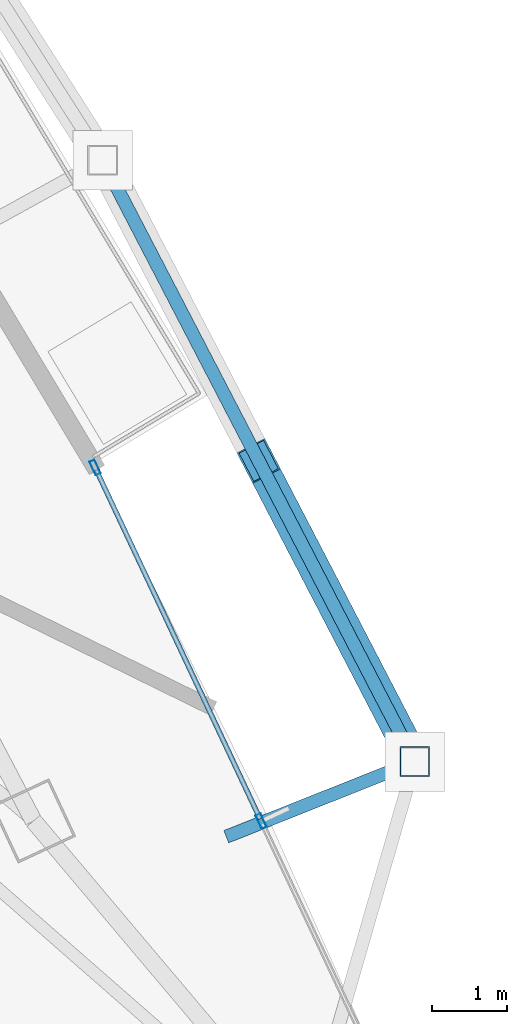
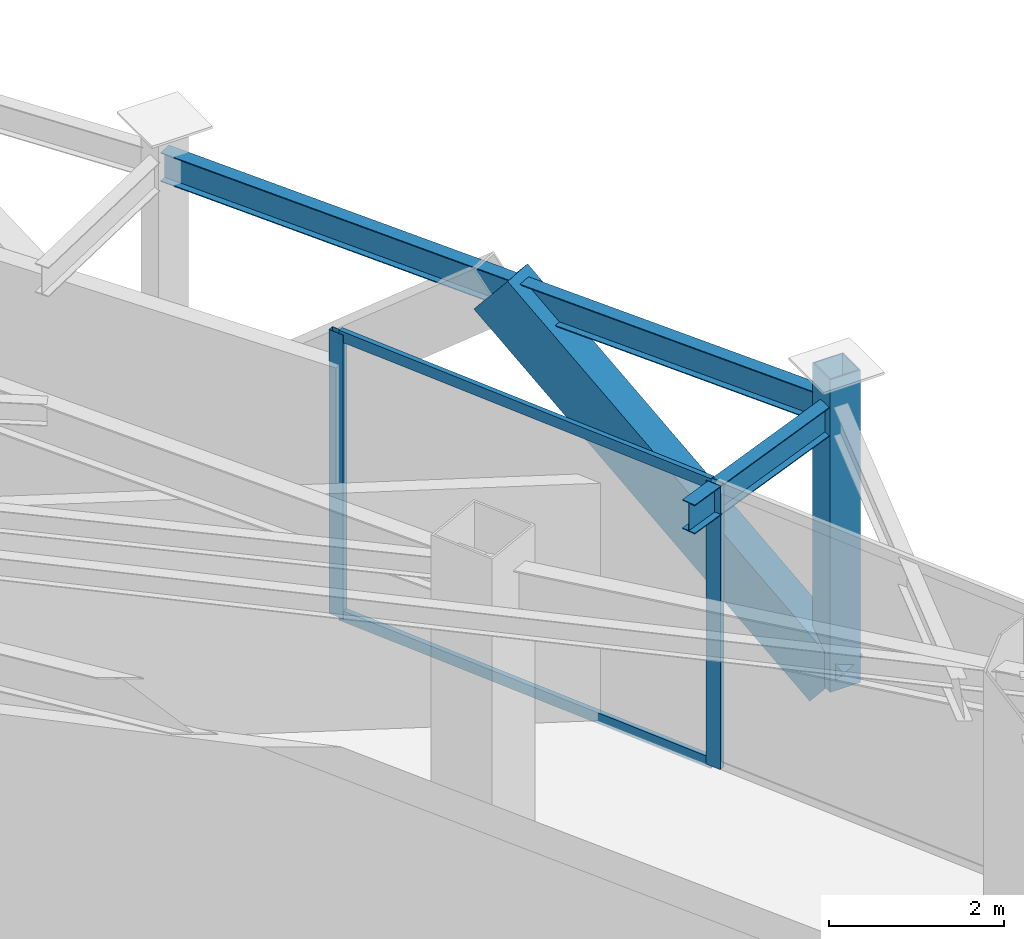
# One storey, part 16 of 27: 6 members, 2 beams, 1 element without a shape of its own.
"""IFC4 building model written with IfcOpenShell, lengths in metres."""

from ifc_helpers import new_model, si_unit, direction, frame, origin, origin_2d, place, context, subcontext, project, spatial, hollow_rectangle, i_section, extrude, material, layer, layer_set, material_profile, profile_set, type_object, element, aggregate, save


model = new_model("IFC4")

# Units and contexts
model_context = context("Model", 3, precision=1e-05, world=origin(), true_north=direction((0.0, 1.0)))
body_context = subcontext(model_context, "Body", "Model", "MODEL_VIEW")
ifc_project = project(units=[si_unit("LENGTHUNIT", "METRE"), si_unit("AREAUNIT", "SQUARE_METRE"), si_unit("VOLUMEUNIT", "CUBIC_METRE"), si_unit("PLANEANGLEUNIT", "RADIAN"), si_unit("MASSUNIT", "GRAM", prefix="KILO")], contexts=[model_context])

# Site, building, storey
site_placement = place(None, origin())
site = spatial("IfcSite", under=ifc_project, at=site_placement, CompositionType="ELEMENT")
building_placement = place(site_placement, origin())
building = spatial("IfcBuilding", under=site, at=building_placement, Name="Orvanel Arch Residences", CompositionType="ELEMENT")
storey_placement = place(building_placement, frame((0.0, 0.0, 186.949951171875)))
storey = spatial("IfcBuildingStorey", under=building, at=storey_placement, Name="L53", CompositionType="ELEMENT", Elevation=186.949951171875)

# Member
ifc_material_1 = material(Name="Structural steel AS/NZS 3678 Grade 350", Category="steel")
ifc_material_profile_1 = material_profile(ifc_material_1, hollow_rectangle(XDim=0.419921875, YDim=0.719970703125, WallThickness=0.02490234375, at=origin_2d()), Name="RHS720x420x25")
ifc_profile_set_1 = profile_set([ifc_material_profile_1], Name="Structural steel AS/NZS 3678 Grade 350")
member_type_1 = type_object("IfcMemberType", Name="BR-720RHS-EXT", PredefinedType="BRACE", material=ifc_profile_set_1)
member_1_placement = place(storey_placement, frame((54.7451171875, 20.43701171875, 0.0), z_axis=(-0.355422545743, 0.684684864451, 0.636302954865), x_axis=(-0.887542143284, -0.460726539169, 0.0)))
element("IfcMember", 1, at=member_1_placement, inside=storey, type_object=member_type_1, Name="L53 Exterior Sky-Garden V-Frame Chevron F3B1.1", PredefinedType="BRACE", context=body_context, shape_type="SweptSolid", body=[
    extrude(hollow_rectangle(XDim=0.419921875, YDim=0.719970703125, WallThickness=0.02490234375, at=origin_2d()), origin(), (0.0, 0.0, 1.0), 5.888916015625),
])

# Curtain wall, members
ifc_material_2 = material(Name="Bronze-anodised aluminium AA6063-T6", Category="aluminium")
ifc_layer = layer(ifc_material_2, 0.195068359375)
ifc_layer_set = layer_set([ifc_layer], Name="Bronze-anodised aluminium AA6063-T6")
curtain_wall_type = type_object("IfcCurtainWallType", Name="CW6-COM-SYS", PredefinedType="NOTDEFINED", material=ifc_layer_set)
curtain_wall_placement = place(storey_placement, origin())
curtain_wall = element("IfcCurtainWall", 2, at=curtain_wall_placement, inside=storey, type_object=curtain_wall_type, Name="L53 CW6-COM-SYS Unitised Curtain Wall", PredefinedType="NOTDEFINED")
ifc_material_profile_2 = material_profile(ifc_material_2, hollow_rectangle(XDim=0.074951171875, YDim=0.199951171875, WallThickness=0.0048828125, at=origin_2d()), Name="ALU200x75x5")
ifc_profile_set_2 = profile_set([ifc_material_profile_2], Name="Bronze-anodised aluminium AA6063-T6")
member_type_2 = type_object("IfcMemberType", Name="MUL-200x75", PredefinedType="MULLION", material=ifc_profile_set_2)
member_2_placement = place(storey_placement, frame((52.685546875, 19.637939453125, 0.0), z_axis=(0.0, 0.0, 1.0), x_axis=(-0.905219837006, -0.424943580596, 0.0)))
member_2 = element("IfcMember", 3, at=member_2_placement, type_object=member_type_2, Name="CW-S6 mullion 2", PredefinedType="MULLION", context=body_context, shape_type="SweptSolid", body=[
    extrude(hollow_rectangle(XDim=0.074951171875, YDim=0.199951171875, WallThickness=0.0048828125, at=origin_2d()), origin(), (0.0, 0.0, 1.0), 3.949951171875),
])
member_3_placement = place(storey_placement, frame((50.458984375, 24.381103515625, 0.0), z_axis=(0.0, 0.0, 1.0), x_axis=(-0.905219837006, -0.424943580596, 0.0)))
member_3 = element("IfcMember", 4, at=member_3_placement, type_object=member_type_2, Name="CW-S6 mullion 3", PredefinedType="MULLION", context=body_context, shape_type="SweptSolid", body=[
    extrude(hollow_rectangle(XDim=0.074951171875, YDim=0.199951171875, WallThickness=0.0048828125, at=origin_2d()), origin(), (0.0, 0.0, 1.0), 3.949951171875),
])

# Beams
ifc_material_3 = material(Name="Structural steel AS/NZS 3679.1 Grade 300 (300 MPa)", Category="steel")
ifc_material_profile_3 = material_profile(ifc_material_3, i_section(OverallWidth=0.177978515625, OverallDepth=0.406005859375, WebThickness=0.0078125, FlangeThickness=0.0126953125, at=origin_2d()), Name="410UB59.7")
ifc_profile_set_3 = profile_set([ifc_material_profile_3], Name="Structural steel AS/NZS 3679.1 Grade 300 (300 MPa)")
beam_type = type_object("IfcBeamType", Name="OB-410UB-EXT", PredefinedType="SPANDREL", material=ifc_profile_set_3)
beam_1_placement = place(storey_placement, frame((52.217041015625, 19.430908203125, 3.7470703125), z_axis=(0.929125018557, 0.369765736502, 0.0), x_axis=(-0.369765736502, 0.929125018557, 0.0)))
element("IfcBeam", 5, at=beam_1_placement, inside=storey, type_object=beam_type, Name="L53 Outer Frame Radial Tie Beam 09", PredefinedType="SPANDREL", context=body_context, shape_type="SweptSolid", body=[
    extrude(i_section(OverallWidth=0.177978515625, OverallDepth=0.406005859375, WebThickness=0.0078125, FlangeThickness=0.0126953125, at=origin_2d()), origin(), (0.0, 0.0, 1.0), 2.720947265625),
])
beam_2_placement = place(storey_placement, frame((54.7451171875, 20.43701171875, 3.7470703125), z_axis=(-0.460726539169, 0.887542143284, 0.0), x_axis=(-0.887542143284, -0.460726539169, 0.0)))
element("IfcBeam", 6, at=beam_2_placement, inside=storey, type_object=beam_type, Name="L53 Outer Perimeter Floor Ring Beam 09", PredefinedType="SPANDREL", context=body_context, shape_type="SweptSolid", body=[
    extrude(i_section(OverallWidth=0.177978515625, OverallDepth=0.406005859375, WebThickness=0.0078125, FlangeThickness=0.0126953125, at=origin_2d()), origin(), (0.0, 0.0, 1.0), 9.085693359375),
])

# Member
ifc_material_4 = material(Name="Structural steel AS/NZS 1163 C450L0 (Grade 450)", Category="steel")
ifc_material_profile_4 = material_profile(ifc_material_4, hollow_rectangle(XDim=0.39990234375, YDim=0.39990234375, WallThickness=0.01611328125, at=origin_2d()), Name="SHS400x400x16")
ifc_profile_set_4 = profile_set([ifc_material_profile_4], Name="Structural steel AS/NZS 1163 C450L0 (Grade 450)")
member_type_3 = type_object("IfcMemberType", Name="ST-400SHS-EXT", PredefinedType="STRUT", material=ifc_profile_set_4)
member_4_placement = place(storey_placement, frame((54.7451171875, 20.43701171875, 0.0), z_axis=(0.0, 0.0, 1.0), x_axis=(1.0, 0.0, 0.0)))
element("IfcMember", 7, at=member_4_placement, inside=storey, type_object=member_type_3, Name="L53 Outer Perimeter Frame Post 09", PredefinedType="STRUT", context=body_context, shape_type="SweptSolid", body=[
    extrude(hollow_rectangle(XDim=0.39990234375, YDim=0.39990234375, WallThickness=0.01611328125, at=origin_2d()), origin(), (0.0, 0.0, 1.0), 4.35009765625),
])

ifc_material_profile_5 = material_profile(ifc_material_2, hollow_rectangle(XDim=0.06494140625, YDim=0.14990234375, WallThickness=0.00390625, at=origin_2d()), Name="ALU150x65x4")
ifc_profile_set_5 = profile_set([ifc_material_profile_5], Name="Bronze-anodised aluminium AA6063-T6")
member_type_4 = type_object("IfcMemberType", Name="TRN-150x65", PredefinedType="USERDEFINED", material=ifc_profile_set_5)
member_5_placement = place(storey_placement, frame((52.669677734375, 19.671875, 0.032470703125), z_axis=(-0.424954567457, 0.905214679288, 0.0), x_axis=(-0.905214679288, -0.424954567457, 0.0)))
member_5 = element("IfcMember", 8, at=member_5_placement, type_object=member_type_4, Name="CW-S6 transom 2.1", ObjectType="TRANSOM", PredefinedType="USERDEFINED", context=body_context, shape_type="SweptSolid", body=[
    extrude(hollow_rectangle(XDim=0.06494140625, YDim=0.14990234375, WallThickness=0.00390625, at=origin_2d()), origin(), (0.0, 0.0, 1.0), 5.164794921875),
])

member_6_placement = place(storey_placement, frame((52.669677734375, 19.671875, 3.91748046875), z_axis=(-0.424954567457, 0.905214679288, 0.0), x_axis=(-0.905214679288, -0.424954567457, 0.0)))
member_6 = element("IfcMember", 9, at=member_6_placement, type_object=member_type_4, Name="CW-S6 transom 2.2", ObjectType="TRANSOM", PredefinedType="USERDEFINED", context=body_context, shape_type="SweptSolid", body=[
    extrude(hollow_rectangle(XDim=0.06494140625, YDim=0.14990234375, WallThickness=0.00390625, at=origin_2d()), origin(), (0.0, 0.0, 1.0), 5.164794921875),
])

aggregate(curtain_wall, [member_2, member_3, member_5, member_6])

save(model, "model.ifc")
